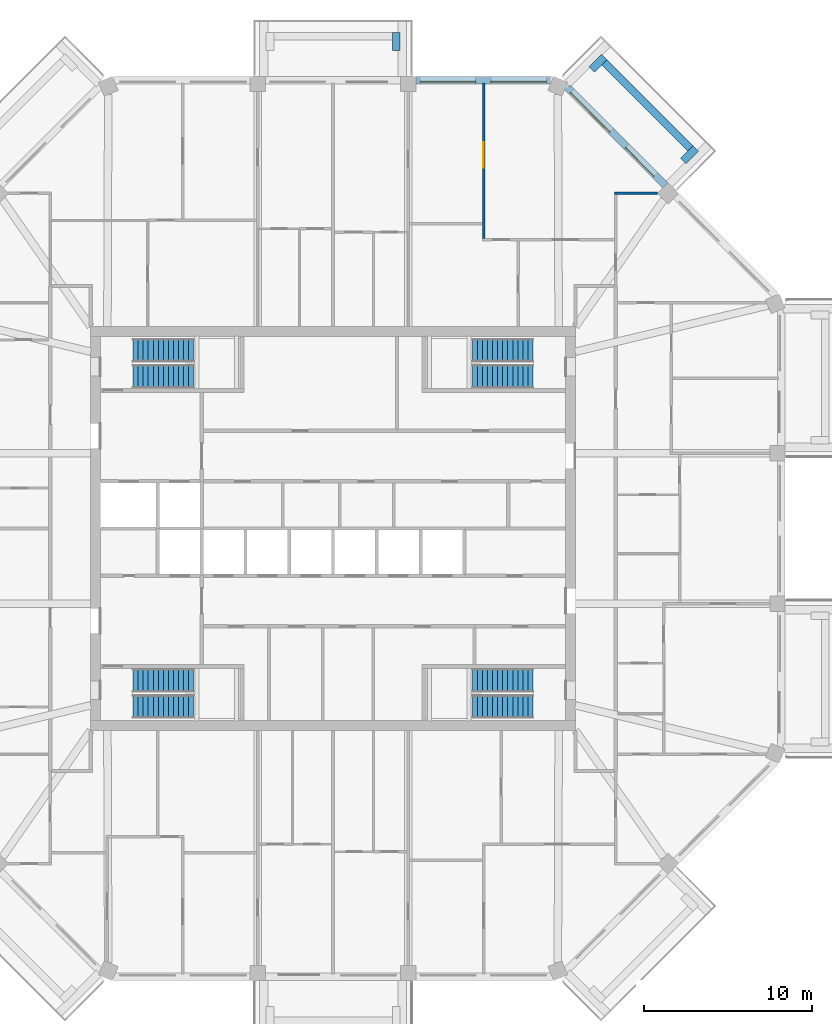
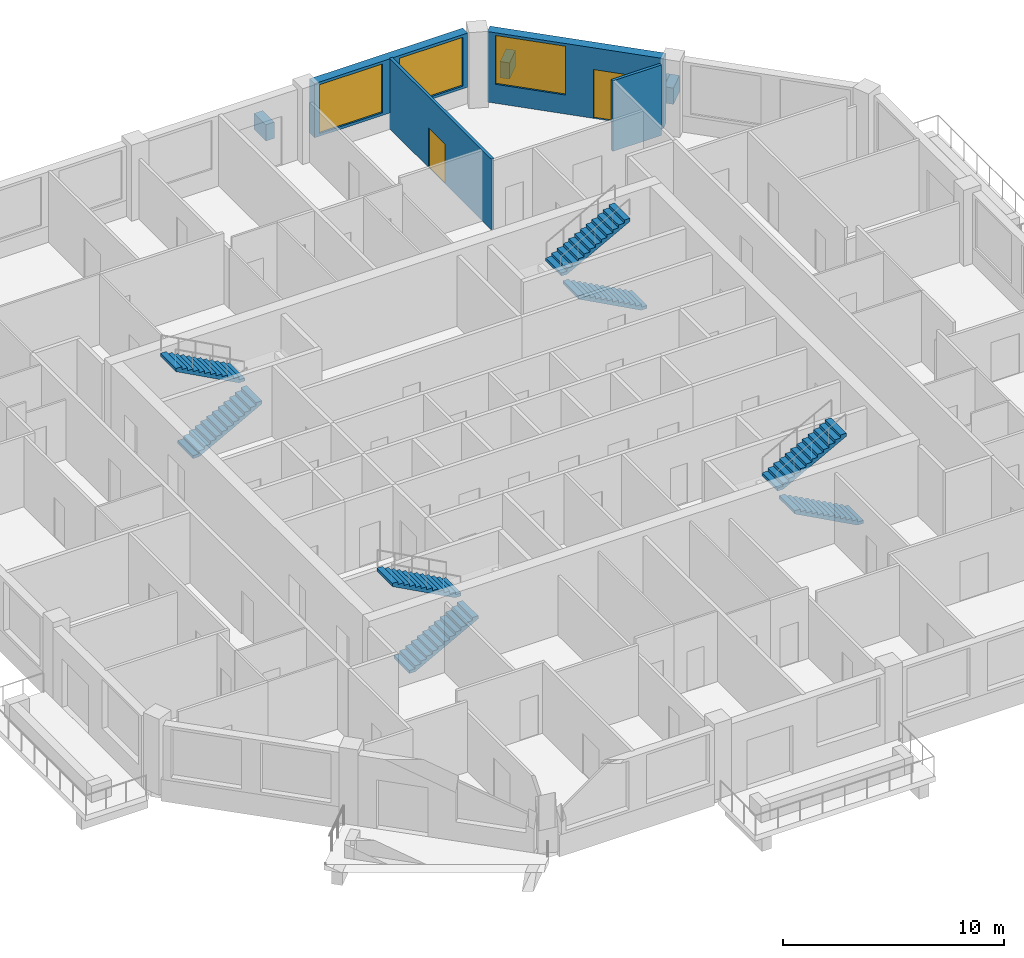
# One storey, part 10 of 12: 8 stair flights, 8 walls, 3 windows, 2 doors, 5 openings, 4 elements without a shape of their own.
"""IFC4 building model written with IfcOpenShell, lengths in metres."""

from ifc_helpers import new_model, si_unit, direction, frame, frame_2d, origin, place, context, subcontext, project, spatial, polyline, rectangle, outline, extrude, material, layer, layer_set, type_object, element, fill, aggregate, save


model = new_model("IFC4")

# Units and contexts
model_context = context("Model", 3, precision=1e-05, world=origin(), true_north=direction((0.0, 1.0)))
body_context = subcontext(model_context, "Body", "Model", "MODEL_VIEW")
ifc_project = project(units=[si_unit("LENGTHUNIT", "METRE"), si_unit("AREAUNIT", "SQUARE_METRE"), si_unit("VOLUMEUNIT", "CUBIC_METRE"), si_unit("PLANEANGLEUNIT", "RADIAN"), si_unit("MASSUNIT", "GRAM", prefix="KILO")], contexts=[model_context])

# Site, building, storey
site_placement = place(None, origin())
site = spatial("IfcSite", under=ifc_project, at=site_placement, CompositionType="ELEMENT")
building_placement = place(site_placement, origin())
building = spatial("IfcBuilding", under=site, at=building_placement, Name="Msitu Wima Residences", CompositionType="ELEMENT")
storey_placement = place(building_placement, frame((0.0, 0.0, 306.300048828125)))
storey = spatial("IfcBuildingStorey", under=building, at=storey_placement, Name="L71", CompositionType="ELEMENT", Elevation=306.300048828125)

# Walls
ifc_material_1 = material(Name="Facing brick")
ifc_layer_1 = layer(ifc_material_1, 0.06494140625, Name="Facing brick")
ifc_material_2 = material(Name="Concrete C40/50", Category="concrete")
ifc_layer_2 = layer(ifc_material_2, 0.156005859375, Name="Concrete C40/50")
ifc_material_3 = material(Name="Waterproofing membrane")
ifc_layer_3 = layer(ifc_material_3, 0.00390625, Name="Waterproofing membrane")
ifc_material_4 = material(Name="Planting soil and planting")
ifc_layer_4 = layer(ifc_material_4, 0.22509765625, Name="Planting soil and planting")
ifc_layer_set_1 = layer_set([ifc_layer_1, ifc_layer_2, ifc_layer_3, ifc_layer_4], Name="Concrete C40/50")
wall_type_1 = type_object("IfcWallType", Name="Balcony planter PLANTER PL450", PredefinedType="USERDEFINED", material=ifc_layer_set_1)
wall_1_placement = place(storey_placement, frame((21.228759765625, 22.572265625, 0.0), z_axis=(0.0, 0.0, 1.0), x_axis=(-0.707106781187, 0.707106781187, 0.0)))
element("IfcWall", 1, at=wall_1_placement, inside=storey, type_object=wall_type_1, Name="Balcony planter NE1 L71", ObjectType="PLANTER", PredefinedType="USERDEFINED", context=body_context, shape_type="SweptSolid", body=[
    extrude(rectangle(XDim=7.23828125, YDim=0.449951171875, at=frame_2d((3.619140625, 0.0))), origin(), (0.0, 0.0, 1.0), 0.89990234375),
])
for number, where, z_axis, x_axis, name in (
    (2, (20.804443359375, 21.829833984375, 0.0), (0.0, 0.0, 1.0), (0.707106781187, 0.707106781187, 0.0), "Balcony planter NE1 L71"),
    (3, (15.3681640625, 27.26611328125, 0.0), (0.0, 0.0, 1.0), (0.706990528533, 0.707223014731, 0.0), "Balcony planter NE1 L71"),
    (4, (3.74365234375, 28.39990234375, 0.0), (0.0, 0.0, 1.0), (0.0, 1.0, 0.0), "Balcony planter N1 L71"),
):
    element("IfcWall", number, at=place(storey_placement, frame(where, z_axis=z_axis, x_axis=x_axis)), inside=storey, type_object=wall_type_1, Name=name, ObjectType="PLANTER", PredefinedType="USERDEFINED", context=body_context, shape_type="SweptSolid", body=[
        extrude(rectangle(XDim=1.050048828125, YDim=0.449951171875, at=frame_2d((0.52490234375, 0.0))), origin(), (0.0, 0.0, 1.0), 0.89990234375),
    ])

# Wall, openings, door, window
ifc_material_5 = material(Name="Brick (red buff mix)", Category="masonry")
ifc_layer_5 = layer(ifc_material_5, 0.449951171875)
ifc_layer_set_2 = layer_set([ifc_layer_5], Name="Brick (red buff mix)")
wall_type_2 = type_object("IfcWallType", Name="Brick infill wall BW450", PredefinedType="SOLIDWALL", material=ifc_layer_set_2)
wall_2_placement = place(storey_placement, frame((19.743896484375, 20.380126953125, 0.0), z_axis=(0.0, 0.0, 1.0), x_axis=(-0.707106781187, 0.707106781187, 0.0)))
wall_2 = element("IfcWall", 5, at=wall_2_placement, inside=storey, type_object=wall_type_2, Name="Brick infill wall L71 NE1", PredefinedType="SOLIDWALL", context=body_context, shape_type="SweptSolid", body=[
    extrude(rectangle(XDim=8.251220703125, YDim=0.449951171875, at=frame_2d((4.12548828125, 0.0))), origin(), (0.0, 0.0, 1.0), 3.89990234375),
])
opening_1_placement = place(wall_2_placement, frame((0.86279296875, 0.0, 0.0)))
opening_1 = element("IfcOpeningElement", 6, at=opening_1_placement, cuts=wall_2, Name="Opening D71.004", PredefinedType="OPENING", context=body_context, shape_type="SweptSolid", body=[
    extrude(rectangle(XDim=2.39990234375, YDim=2.699951171875, at=frame_2d((1.199951171875, 1.35009765625))), frame((0.0, 0.23486328125, 0.0), z_axis=(0.0, -1.0, 0.0), x_axis=(1.0, 0.0, 0.0)), (0.0, 0.0, 1.0), 0.469970703125),
])
opening_2_placement = place(wall_2_placement, frame((4.57568359375, 0.0, 1.050048828125)))
opening_2 = element("IfcOpeningElement", 7, at=opening_2_placement, cuts=wall_2, Name="Opening W71.012", PredefinedType="OPENING", context=body_context, shape_type="SweptSolid", body=[
    extrude(rectangle(XDim=3.300048828125, YDim=2.699951171875, at=frame_2d((1.64990234375, 1.35009765625))), frame((0.0, 0.23486328125, 0.0), z_axis=(0.0, -1.0, 0.0), x_axis=(1.0, 0.0, 0.0)), (0.0, 0.0, 1.0), 0.469970703125),
])
ifc_material_6 = material(Name="Anodised aluminium, bronze finish, clear low-emissivity double glazing", Category="aluminium")
door_type_1 = type_object("IfcDoorType", Name="Balcony door D2400x2700", OperationType="SLIDING_TO_LEFT", PredefinedType="DOOR", material=ifc_material_6)
door_1_placement = place(opening_1_placement, origin())
door_1 = element("IfcDoor", 8, at=door_1_placement, inside=storey, type_object=door_type_1, Name="Balcony door L71 NE1", OperationType="SINGLE_SWING_LEFT", OverallHeight=2.699951171875, OverallWidth=2.39990234375, PredefinedType="DOOR", context=body_context, shape_type="SweptSolid", body=[
    extrude(rectangle(XDim=2.39990234375, YDim=2.699951171875, at=frame_2d((1.199951171875, 1.35009765625))), frame((0.0, 0.1298828125, 0.0), z_axis=(0.0, -1.0, 0.0), x_axis=(1.0, 0.0, 0.0)), (0.0, 0.0, 1.0), 0.050048828125),
])
fill(opening_1, door_1)
window_type = type_object("IfcWindowType", Name="Window W3300x2700", PartitioningType="DOUBLE_PANEL_VERTICAL", PredefinedType="WINDOW", material=ifc_material_6)
window_1_placement = place(opening_2_placement, origin())
window_1 = element("IfcWindow", 9, at=window_1_placement, inside=storey, type_object=window_type, Name="Window L71 NE1.2", OverallHeight=2.699951171875, OverallWidth=3.300048828125, PartitioningType="SINGLE_PANEL", PredefinedType="WINDOW", context=body_context, shape_type="SweptSolid", body=[
    extrude(rectangle(XDim=3.300048828125, YDim=2.699951171875, at=frame_2d((1.64990234375, 1.35009765625))), frame((0.0, 0.135009765625, 0.0), z_axis=(0.0, -1.0, 0.0), x_axis=(1.0, 0.0, 0.0)), (0.0, 0.0, 1.0), 0.06005859375),
])
fill(opening_2, window_1)

# Wall, openings, windows
wall_3_placement = place(storey_placement, frame((12.918701171875, 26.625, 0.89990234375), z_axis=(0.0, 0.0, 1.0), x_axis=(-1.0, 0.0, 0.0)))
wall_3 = element("IfcWall", 10, at=wall_3_placement, inside=storey, type_object=wall_type_2, Name="Brick infill wall L71 N0", PredefinedType="SOLIDWALL", context=body_context, shape_type="SweptSolid", body=[
    extrude(rectangle(XDim=8.0, YDim=0.449951171875, at=frame_2d((4.0, 0.0))), origin(), (0.0, 0.0, 1.0), 3.0),
])
opening_3_placement = place(wall_3_placement, frame((0.25, 0.0, 0.14990234375)))
opening_3 = element("IfcOpeningElement", 11, at=opening_3_placement, cuts=wall_3, Name="Opening W71.005", PredefinedType="OPENING", context=body_context, shape_type="SweptSolid", body=[
    extrude(rectangle(XDim=3.300048828125, YDim=2.699951171875, at=frame_2d((1.64990234375, 1.35009765625))), frame((0.0, 0.23486328125, 0.0), z_axis=(0.0, -1.0, 0.0), x_axis=(1.0, 0.0, 0.0)), (0.0, 0.0, 1.0), 0.469970703125),
])
opening_4_placement = place(wall_3_placement, frame((4.4501953125, 0.0, 0.14990234375)))
opening_4 = element("IfcOpeningElement", 12, at=opening_4_placement, cuts=wall_3, Name="Opening W71.006", PredefinedType="OPENING", context=body_context, shape_type="SweptSolid", body=[
    extrude(rectangle(XDim=3.300048828125, YDim=2.699951171875, at=frame_2d((1.64990234375, 1.35009765625))), frame((0.0, 0.23486328125, 0.0), z_axis=(0.0, -1.0, 0.0), x_axis=(1.0, 0.0, 0.0)), (0.0, 0.0, 1.0), 0.469970703125),
])
window_2_placement = place(opening_3_placement, origin())
window_2 = element("IfcWindow", 13, at=window_2_placement, inside=storey, type_object=window_type, Name="Window L71 N0.1", OverallHeight=2.699951171875, OverallWidth=3.300048828125, PartitioningType="SINGLE_PANEL", PredefinedType="WINDOW", context=body_context, shape_type="SweptSolid", body=[
    extrude(rectangle(XDim=3.300048828125, YDim=2.699951171875, at=frame_2d((1.64990234375, 1.35009765625))), frame((0.0, 0.135009765625, 0.0), z_axis=(0.0, -1.0, 0.0), x_axis=(1.0, 0.0, 0.0)), (0.0, 0.0, 1.0), 0.06005859375),
])
fill(opening_3, window_2)
window_3_placement = place(opening_4_placement, origin())
window_3 = element("IfcWindow", 14, at=window_3_placement, inside=storey, type_object=window_type, Name="Window L71 N0.2", OverallHeight=2.699951171875, OverallWidth=3.300048828125, PartitioningType="SINGLE_PANEL", PredefinedType="WINDOW", context=body_context, shape_type="SweptSolid", body=[
    extrude(rectangle(XDim=3.300048828125, YDim=2.699951171875, at=frame_2d((1.64990234375, 1.35009765625))), frame((0.0, 0.135009765625, 0.0), z_axis=(0.0, -1.0, 0.0), x_axis=(1.0, 0.0, 0.0)), (0.0, 0.0, 1.0), 0.06005859375),
])
fill(opening_4, window_3)

# Wall, opening, door
ifc_material_7 = material(Name="Plaster")
ifc_layer_6 = layer(ifc_material_7, 0.011962890625, Name="Plaster")
ifc_material_8 = material(Name="Concrete blockwork", Category="masonry")
ifc_layer_7 = layer(ifc_material_8, 0.1259765625, Name="Concrete blockwork")
ifc_layer_8 = layer(ifc_material_7, 0.011962890625, Name="Plaster")
ifc_layer_set_3 = layer_set([ifc_layer_6, ifc_layer_7, ifc_layer_8], Name="Concrete blockwork")
wall_type_3 = type_object("IfcWallType", Name="Partition PW150", PredefinedType="PARTITIONING", material=ifc_layer_set_3)
wall_4_placement = place(storey_placement, frame((8.937255859375, 17.22509765625, 0.0), z_axis=(0.0, 0.0, 1.0), x_axis=(0.0, 1.0, 0.0)))
wall_4 = element("IfcWall", 15, at=wall_4_placement, inside=storey, type_object=wall_type_3, Name="Partition", PredefinedType="PARTITIONING", context=body_context, shape_type="SweptSolid", body=[
    extrude(rectangle(XDim=9.22998046875, YDim=0.14990234375, at=frame_2d((4.614990234375, 0.0))), origin(), (0.0, 0.0, 1.0), 3.89990234375),
])
opening_5_placement = place(wall_4_placement, frame((4.199951171875, 0.0, 0.0)))
opening_5 = element("IfcOpeningElement", 16, at=opening_5_placement, cuts=wall_4, Name="Opening D71.021", PredefinedType="OPENING", context=body_context, shape_type="SweptSolid", body=[
    extrude(rectangle(XDim=1.5, YDim=2.199951171875, at=frame_2d((0.75, 1.10009765625))), frame((0.0, 0.0849609375, 0.0), z_axis=(0.0, -1.0, 0.0), x_axis=(1.0, 0.0, 0.0)), (0.0, 0.0, 1.0), 0.169921875),
])
ifc_material_9 = material(Name="Timber double door", Category="wood")
door_type_2 = type_object("IfcDoorType", Name="Double door D04 1500x2200", OperationType="DOUBLE_DOOR_SINGLE_SWING", PredefinedType="DOOR", material=ifc_material_9)
door_2_placement = place(opening_5_placement, origin())
door_2 = element("IfcDoor", 17, at=door_2_placement, inside=storey, type_object=door_type_2, Name="Double door", OperationType="DOUBLE_DOOR_SINGLE_SWING", OverallHeight=2.199951171875, OverallWidth=1.5, PredefinedType="DOOR", context=body_context, shape_type="SweptSolid", body=[
    extrude(rectangle(XDim=1.5, YDim=2.199951171875, at=frame_2d((0.75, 1.10009765625))), frame((0.0, 0.02490234375, 0.0), z_axis=(0.0, -1.0, 0.0), x_axis=(1.0, 0.0, 0.0)), (0.0, 0.0, 1.0), 0.050048828125),
])
fill(opening_5, door_2)

# Wall
wall_5_placement = place(storey_placement, frame((16.72509765625, 19.90283203125, 0.0), z_axis=(0.0, 0.0, 1.0), x_axis=(1.0, 0.0, 0.0)))
element("IfcWall", 18, at=wall_5_placement, inside=storey, type_object=wall_type_3, Name="Partition", PredefinedType="PARTITIONING", context=body_context, shape_type="SweptSolid", body=[
    extrude(rectangle(XDim=2.54150390625, YDim=0.14990234375, at=frame_2d((1.270751953125, 0.0))), origin(), (0.0, 0.0, 1.0), 3.89990234375),
])

# Stair, stair flights
stair_type = type_object("IfcStairType", Name="Exit stair ES1615-140", PredefinedType="HALF_TURN_STAIR", material=ifc_material_2)
stair_1_placement = place(storey_placement, origin())
stair_1 = element("IfcStair", 19, at=stair_1_placement, inside=storey, type_object=stair_type, Name="Exit stair 1", PredefinedType="HALF_TURN_STAIR")
stair_flight_type = type_object("IfcStairFlightType", Name="Exit stair flight ES1615-140", PredefinedType="STRAIGHT", material=ifc_material_2)
stair_flight_1_placement = place(storey_placement, frame((-11.875, 9.02490234375, 0.0), z_axis=(0.0, 0.0, 1.0), x_axis=(1.0, 0.0, 0.0)))
stair_flight_1 = element("IfcStairFlight", 20, at=stair_flight_1_placement, type_object=stair_flight_type, Name="S1 flight 1", NumberOfRisers=13, NumberOfTreads=12, PredefinedType="STRAIGHT", RiserHeight=0.161538462, TreadLength=0.3, context=body_context, shape_type="SweptSolid", body=[
    extrude(outline(polyline([(0.0, 0.0), (0.0, 0.16162109375), (0.300048828125, 0.16162109375), (0.300048828125, 0.322998046875), (0.60009765625, 0.322998046875), (0.60009765625, 0.484619140625), (0.89990234375, 0.484619140625), (0.89990234375, 0.646240234375), (1.199951171875, 0.646240234375), (1.199951171875, 0.8076171875), (1.5, 0.8076171875), (1.5, 0.96923828125), (1.800048828125, 0.96923828125), (1.800048828125, 1.130859375), (2.10009765625, 1.130859375), (2.10009765625, 1.292236328125), (2.39990234375, 1.292236328125), (2.39990234375, 1.453857421875), (2.699951171875, 1.453857421875), (2.699951171875, 1.615478515625), (3.0, 1.615478515625), (3.0, 1.77685546875), (3.300048828125, 1.77685546875), (3.300048828125, 1.9384765625), (3.60009765625, 1.9384765625), (3.60009765625, 2.10009765625), (3.60009765625, 1.768310546875), (0.316162109375, 0.0), (0.0, 0.0)])), frame((0.0, 0.699951171875, 0.0), z_axis=(0.0, -1.0, 0.0), x_axis=(1.0, 0.0, 0.0)), (0.0, 0.0, 1.0), 1.39990234375),
])
stair_flight_2_placement = place(storey_placement, frame((-8.27490234375, 10.574951171875, 2.099853515625), z_axis=(0.0, 0.0, 1.0), x_axis=(-1.0, 0.0, 0.0)))
stair_flight_2 = element("IfcStairFlight", 21, at=stair_flight_2_placement, type_object=stair_flight_type, Name="S1 flight 2", NumberOfRisers=13, NumberOfTreads=12, PredefinedType="STRAIGHT", RiserHeight=0.161538462, TreadLength=0.3, context=body_context, shape_type="SweptSolid", body=[
    extrude(outline(polyline([(0.0, 0.0), (0.0, 0.16162109375), (0.300048828125, 0.16162109375), (0.300048828125, 0.322998046875), (0.60009765625, 0.322998046875), (0.60009765625, 0.484619140625), (0.89990234375, 0.484619140625), (0.89990234375, 0.646240234375), (1.199951171875, 0.646240234375), (1.199951171875, 0.8076171875), (1.5, 0.8076171875), (1.5, 0.96923828125), (1.800048828125, 0.96923828125), (1.800048828125, 1.130859375), (2.10009765625, 1.130859375), (2.10009765625, 1.292236328125), (2.39990234375, 1.292236328125), (2.39990234375, 1.453857421875), (2.699951171875, 1.453857421875), (2.699951171875, 1.615478515625), (3.0, 1.615478515625), (3.0, 1.77685546875), (3.300048828125, 1.77685546875), (3.300048828125, 1.9384765625), (3.60009765625, 1.9384765625), (3.60009765625, 2.10009765625), (3.60009765625, 1.768310546875), (0.316162109375, 0.0), (0.0, 0.0)])), frame((0.0, 0.699951171875, 0.0), z_axis=(0.0, -1.0, 0.0), x_axis=(1.0, 0.0, 0.0)), (0.0, 0.0, 1.0), 1.39990234375),
])
aggregate(stair_1, [stair_flight_1, stair_flight_2])

stair_2_placement = place(storey_placement, origin())
stair_2 = element("IfcStair", 22, at=stair_2_placement, inside=storey, type_object=stair_type, Name="Exit stair 2", PredefinedType="HALF_TURN_STAIR")
stair_flight_3_placement = place(storey_placement, frame((-11.875, -10.574951171875, 0.0), z_axis=(0.0, 0.0, 1.0), x_axis=(1.0, 0.0, 0.0)))
stair_flight_3 = element("IfcStairFlight", 23, at=stair_flight_3_placement, type_object=stair_flight_type, Name="S2 flight 1", NumberOfRisers=13, NumberOfTreads=12, PredefinedType="STRAIGHT", RiserHeight=0.161538462, TreadLength=0.3, context=body_context, shape_type="SweptSolid", body=[
    extrude(outline(polyline([(0.0, 0.0), (0.0, 0.16162109375), (0.300048828125, 0.16162109375), (0.300048828125, 0.322998046875), (0.60009765625, 0.322998046875), (0.60009765625, 0.484619140625), (0.89990234375, 0.484619140625), (0.89990234375, 0.646240234375), (1.199951171875, 0.646240234375), (1.199951171875, 0.8076171875), (1.5, 0.8076171875), (1.5, 0.96923828125), (1.800048828125, 0.96923828125), (1.800048828125, 1.130859375), (2.10009765625, 1.130859375), (2.10009765625, 1.292236328125), (2.39990234375, 1.292236328125), (2.39990234375, 1.453857421875), (2.699951171875, 1.453857421875), (2.699951171875, 1.615478515625), (3.0, 1.615478515625), (3.0, 1.77685546875), (3.300048828125, 1.77685546875), (3.300048828125, 1.9384765625), (3.60009765625, 1.9384765625), (3.60009765625, 2.10009765625), (3.60009765625, 1.768310546875), (0.316162109375, 0.0), (0.0, 0.0)])), frame((0.0, 0.699951171875, 0.0), z_axis=(0.0, -1.0, 0.0), x_axis=(1.0, 0.0, 0.0)), (0.0, 0.0, 1.0), 1.39990234375),
])
stair_flight_4_placement = place(storey_placement, frame((-8.27490234375, -9.02490234375, 2.099853515625), z_axis=(0.0, 0.0, 1.0), x_axis=(-1.0, 0.0, 0.0)))
stair_flight_4 = element("IfcStairFlight", 24, at=stair_flight_4_placement, type_object=stair_flight_type, Name="S2 flight 2", NumberOfRisers=13, NumberOfTreads=12, PredefinedType="STRAIGHT", RiserHeight=0.161538462, TreadLength=0.3, context=body_context, shape_type="SweptSolid", body=[
    extrude(outline(polyline([(0.0, 0.0), (0.0, 0.16162109375), (0.300048828125, 0.16162109375), (0.300048828125, 0.322998046875), (0.60009765625, 0.322998046875), (0.60009765625, 0.484619140625), (0.89990234375, 0.484619140625), (0.89990234375, 0.646240234375), (1.199951171875, 0.646240234375), (1.199951171875, 0.8076171875), (1.5, 0.8076171875), (1.5, 0.96923828125), (1.800048828125, 0.96923828125), (1.800048828125, 1.130859375), (2.10009765625, 1.130859375), (2.10009765625, 1.292236328125), (2.39990234375, 1.292236328125), (2.39990234375, 1.453857421875), (2.699951171875, 1.453857421875), (2.699951171875, 1.615478515625), (3.0, 1.615478515625), (3.0, 1.77685546875), (3.300048828125, 1.77685546875), (3.300048828125, 1.9384765625), (3.60009765625, 1.9384765625), (3.60009765625, 2.10009765625), (3.60009765625, 1.768310546875), (0.316162109375, 0.0), (0.0, 0.0)])), frame((0.0, 0.699951171875, 0.0), z_axis=(0.0, -1.0, 0.0), x_axis=(1.0, 0.0, 0.0)), (0.0, 0.0, 1.0), 1.39990234375),
])
aggregate(stair_2, [stair_flight_3, stair_flight_4])

stair_3_placement = place(storey_placement, origin())
stair_3 = element("IfcStair", 25, at=stair_3_placement, inside=storey, type_object=stair_type, Name="Exit stair 3", PredefinedType="HALF_TURN_STAIR")
stair_flight_5_placement = place(storey_placement, frame((11.875, 9.02490234375, 0.0), z_axis=(0.0, 0.0, 1.0), x_axis=(-1.0, 0.0, 0.0)))
stair_flight_5 = element("IfcStairFlight", 26, at=stair_flight_5_placement, type_object=stair_flight_type, Name="S3 flight 1", NumberOfRisers=13, NumberOfTreads=12, PredefinedType="STRAIGHT", RiserHeight=0.161538462, TreadLength=0.3, context=body_context, shape_type="SweptSolid", body=[
    extrude(outline(polyline([(0.0, 0.0), (0.0, 0.16162109375), (0.300048828125, 0.16162109375), (0.300048828125, 0.322998046875), (0.60009765625, 0.322998046875), (0.60009765625, 0.484619140625), (0.89990234375, 0.484619140625), (0.89990234375, 0.646240234375), (1.199951171875, 0.646240234375), (1.199951171875, 0.8076171875), (1.5, 0.8076171875), (1.5, 0.96923828125), (1.800048828125, 0.96923828125), (1.800048828125, 1.130859375), (2.10009765625, 1.130859375), (2.10009765625, 1.292236328125), (2.39990234375, 1.292236328125), (2.39990234375, 1.453857421875), (2.699951171875, 1.453857421875), (2.699951171875, 1.615478515625), (3.0, 1.615478515625), (3.0, 1.77685546875), (3.300048828125, 1.77685546875), (3.300048828125, 1.9384765625), (3.60009765625, 1.9384765625), (3.60009765625, 2.10009765625), (3.60009765625, 1.768310546875), (0.316162109375, 0.0), (0.0, 0.0)])), frame((0.0, 0.699951171875, 0.0), z_axis=(0.0, -1.0, 0.0), x_axis=(1.0, 0.0, 0.0)), (0.0, 0.0, 1.0), 1.39990234375),
])
stair_flight_6_placement = place(storey_placement, frame((8.27490234375, 10.574951171875, 2.099853515625), z_axis=(0.0, 0.0, 1.0), x_axis=(1.0, 0.0, 0.0)))
stair_flight_6 = element("IfcStairFlight", 27, at=stair_flight_6_placement, type_object=stair_flight_type, Name="S3 flight 2", NumberOfRisers=13, NumberOfTreads=12, PredefinedType="STRAIGHT", RiserHeight=0.161538462, TreadLength=0.3, context=body_context, shape_type="SweptSolid", body=[
    extrude(outline(polyline([(0.0, 0.0), (0.0, 0.16162109375), (0.300048828125, 0.16162109375), (0.300048828125, 0.322998046875), (0.60009765625, 0.322998046875), (0.60009765625, 0.484619140625), (0.89990234375, 0.484619140625), (0.89990234375, 0.646240234375), (1.199951171875, 0.646240234375), (1.199951171875, 0.8076171875), (1.5, 0.8076171875), (1.5, 0.96923828125), (1.800048828125, 0.96923828125), (1.800048828125, 1.130859375), (2.10009765625, 1.130859375), (2.10009765625, 1.292236328125), (2.39990234375, 1.292236328125), (2.39990234375, 1.453857421875), (2.699951171875, 1.453857421875), (2.699951171875, 1.615478515625), (3.0, 1.615478515625), (3.0, 1.77685546875), (3.300048828125, 1.77685546875), (3.300048828125, 1.9384765625), (3.60009765625, 1.9384765625), (3.60009765625, 2.10009765625), (3.60009765625, 1.768310546875), (0.316162109375, 0.0), (0.0, 0.0)])), frame((0.0, 0.699951171875, 0.0), z_axis=(0.0, -1.0, 0.0), x_axis=(1.0, 0.0, 0.0)), (0.0, 0.0, 1.0), 1.39990234375),
])
aggregate(stair_3, [stair_flight_5, stair_flight_6])

stair_4_placement = place(storey_placement, origin())
stair_4 = element("IfcStair", 28, at=stair_4_placement, inside=storey, type_object=stair_type, Name="Exit stair 4", PredefinedType="HALF_TURN_STAIR")
stair_flight_7_placement = place(storey_placement, frame((11.875, -10.574951171875, 0.0), z_axis=(0.0, 0.0, 1.0), x_axis=(-1.0, 0.0, 0.0)))
stair_flight_7 = element("IfcStairFlight", 29, at=stair_flight_7_placement, type_object=stair_flight_type, Name="S4 flight 1", NumberOfRisers=13, NumberOfTreads=12, PredefinedType="STRAIGHT", RiserHeight=0.161538462, TreadLength=0.3, context=body_context, shape_type="SweptSolid", body=[
    extrude(outline(polyline([(0.0, 0.0), (0.0, 0.16162109375), (0.300048828125, 0.16162109375), (0.300048828125, 0.322998046875), (0.60009765625, 0.322998046875), (0.60009765625, 0.484619140625), (0.89990234375, 0.484619140625), (0.89990234375, 0.646240234375), (1.199951171875, 0.646240234375), (1.199951171875, 0.8076171875), (1.5, 0.8076171875), (1.5, 0.96923828125), (1.800048828125, 0.96923828125), (1.800048828125, 1.130859375), (2.10009765625, 1.130859375), (2.10009765625, 1.292236328125), (2.39990234375, 1.292236328125), (2.39990234375, 1.453857421875), (2.699951171875, 1.453857421875), (2.699951171875, 1.615478515625), (3.0, 1.615478515625), (3.0, 1.77685546875), (3.300048828125, 1.77685546875), (3.300048828125, 1.9384765625), (3.60009765625, 1.9384765625), (3.60009765625, 2.10009765625), (3.60009765625, 1.768310546875), (0.316162109375, 0.0), (0.0, 0.0)])), frame((0.0, 0.699951171875, 0.0), z_axis=(0.0, -1.0, 0.0), x_axis=(1.0, 0.0, 0.0)), (0.0, 0.0, 1.0), 1.39990234375),
])
stair_flight_8_placement = place(storey_placement, frame((8.27490234375, -9.02490234375, 2.099853515625), z_axis=(0.0, 0.0, 1.0), x_axis=(1.0, 0.0, 0.0)))
stair_flight_8 = element("IfcStairFlight", 30, at=stair_flight_8_placement, type_object=stair_flight_type, Name="S4 flight 2", NumberOfRisers=13, NumberOfTreads=12, PredefinedType="STRAIGHT", RiserHeight=0.161538462, TreadLength=0.3, context=body_context, shape_type="SweptSolid", body=[
    extrude(outline(polyline([(0.0, 0.0), (0.0, 0.16162109375), (0.300048828125, 0.16162109375), (0.300048828125, 0.322998046875), (0.60009765625, 0.322998046875), (0.60009765625, 0.484619140625), (0.89990234375, 0.484619140625), (0.89990234375, 0.646240234375), (1.199951171875, 0.646240234375), (1.199951171875, 0.8076171875), (1.5, 0.8076171875), (1.5, 0.96923828125), (1.800048828125, 0.96923828125), (1.800048828125, 1.130859375), (2.10009765625, 1.130859375), (2.10009765625, 1.292236328125), (2.39990234375, 1.292236328125), (2.39990234375, 1.453857421875), (2.699951171875, 1.453857421875), (2.699951171875, 1.615478515625), (3.0, 1.615478515625), (3.0, 1.77685546875), (3.300048828125, 1.77685546875), (3.300048828125, 1.9384765625), (3.60009765625, 1.9384765625), (3.60009765625, 2.10009765625), (3.60009765625, 1.768310546875), (0.316162109375, 0.0), (0.0, 0.0)])), frame((0.0, 0.699951171875, 0.0), z_axis=(0.0, -1.0, 0.0), x_axis=(1.0, 0.0, 0.0)), (0.0, 0.0, 1.0), 1.39990234375),
])
aggregate(stair_4, [stair_flight_7, stair_flight_8])

save(model, "model.ifc")
